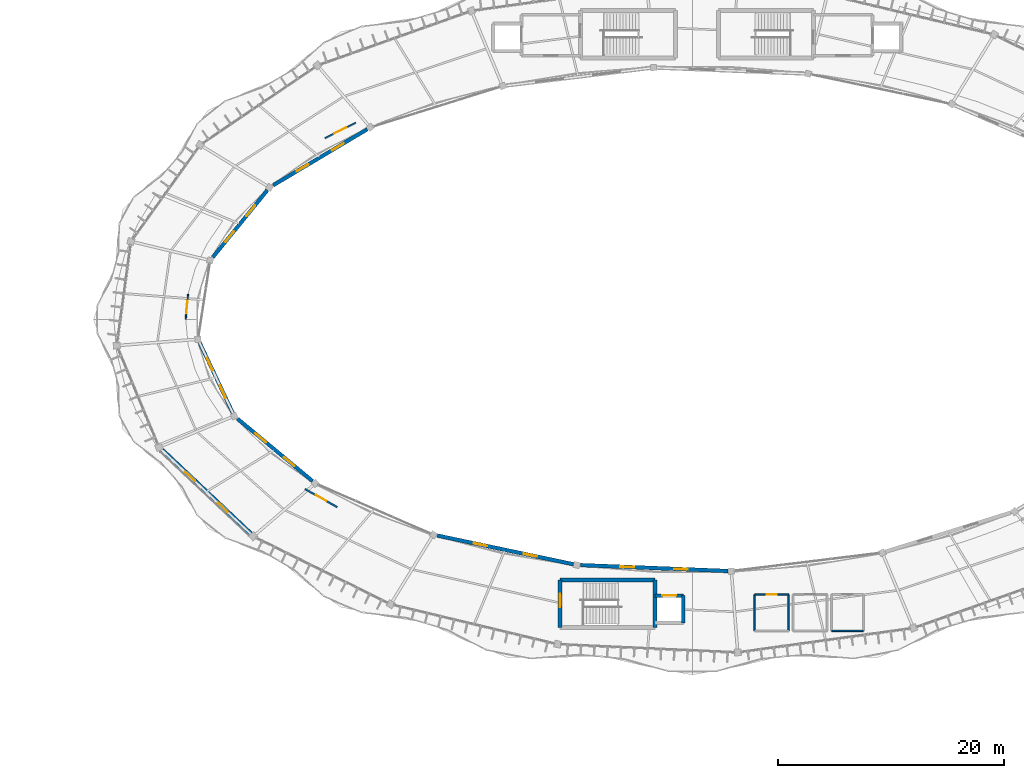
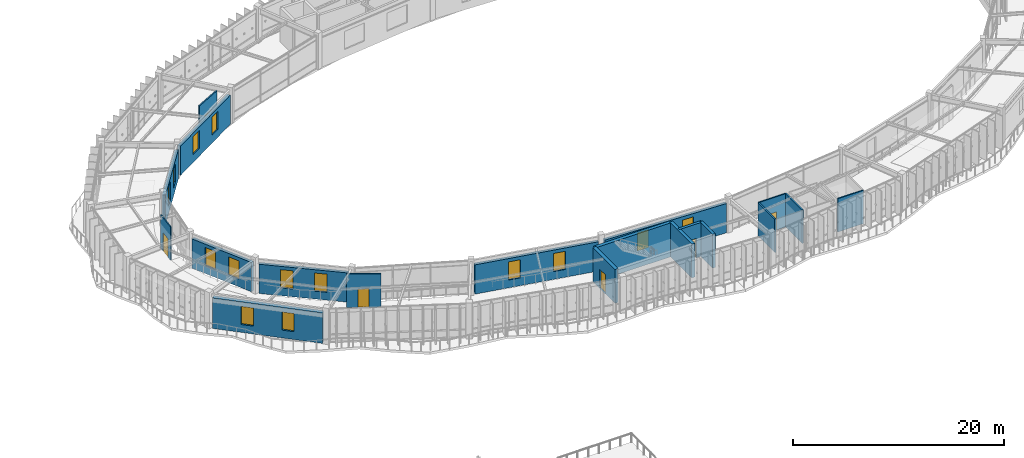
# One storey, part 69 of 83: 19 walls, 14 windows, 6 doors, 20 openings.
"""IFC4 building model written with IfcOpenShell, lengths in metres."""

from ifc_helpers import new_model, si_unit, direction, frame, frame_2d, origin, place, context, subcontext, project, spatial, rectangle, extrude, material, layer, layer_set, type_object, element, fill, save


model = new_model("IFC4")

# Units and contexts
model_context = context("Model", 3, precision=1e-05, world=origin(), true_north=direction((0.0, 1.0)))
body_context = subcontext(model_context, "Body", "Model", "MODEL_VIEW")
ifc_project = project(units=[si_unit("LENGTHUNIT", "METRE"), si_unit("AREAUNIT", "SQUARE_METRE"), si_unit("VOLUMEUNIT", "CUBIC_METRE"), si_unit("PLANEANGLEUNIT", "RADIAN"), si_unit("MASSUNIT", "GRAM", prefix="KILO"), si_unit("THERMODYNAMICTEMPERATUREUNIT", "KELVIN"), si_unit("POWERUNIT", "WATT")], contexts=[model_context])

# Site, building, storey
site_placement = place(None, origin())
site = spatial("IfcSite", under=ifc_project, at=site_placement, CompositionType="ELEMENT")
building_placement = place(site_placement, origin())
building = spatial("IfcBuilding", under=site, at=building_placement, Name="Darbajah Civic Hall", CompositionType="ELEMENT")
storey_placement = place(building_placement, frame((0.0, 0.0, 18.0)))
storey = spatial("IfcBuildingStorey", under=building, at=storey_placement, Name="L04", CompositionType="ELEMENT", Elevation=18.0)

# Wall, opening, door
ifc_material_1 = material(Name="Concrete C45/55", Category="concrete")
ifc_layer_1 = layer(ifc_material_1, 0.300048828125, Name="Concrete C45/55")
ifc_layer_set_1 = layer_set([ifc_layer_1], Name="Concrete C45/55")
wall_type_1 = type_object("IfcWallType", Name="Core Shear Wall 300mm", PredefinedType="SHEAR", material=ifc_layer_set_1)
wall_1_placement = place(storey_placement, frame((88.300048828125, 65.39990234375, 0.0), z_axis=(0.0, 0.0, 1.0), x_axis=(-1.0, 0.0, 0.0)))
wall_1 = element("IfcWall", 1, at=wall_1_placement, inside=storey, type_object=wall_type_1, Name="L04 lift PL1 shaft wall N", PredefinedType="SHEAR", context=body_context, shape_type="SweptSolid", body=[
    extrude(rectangle(XDim=2.5, YDim=0.300048828125, at=frame_2d((1.25, 0.0))), origin(), (0.0, 0.0, 1.0), 3.919921875),
])
opening_1_placement = place(wall_1_placement, frame((0.64990234375, 0.0, 0.0)))
opening_1 = element("IfcOpeningElement", 2, at=opening_1_placement, cuts=wall_1, Name="Opening LD-0054", PredefinedType="OPENING", context=body_context, shape_type="SweptSolid", body=[
    extrude(rectangle(XDim=1.199951171875, YDim=2.25, at=frame_2d((0.60009765625, 1.125))), frame((0.0, 0.159912109375, 0.0), z_axis=(0.0, -1.0, 0.0), x_axis=(1.0, 0.0, 0.0)), (0.0, 0.0, 1.0), 0.320068359375),
])
ifc_material_2 = material(Name="Stainless Lift Landing Door")
door_type_1 = type_object("IfcDoorType", Name="Lift Landing Door 1200x2250", OperationType="SLIDING_TO_LEFT", PredefinedType="DOOR", material=ifc_material_2)
door_1_placement = place(opening_1_placement, origin())
door_1 = element("IfcDoor", 3, at=door_1_placement, inside=storey, type_object=door_type_1, Name="L04 lift PL1 landing door LD-0054", OperationType="SLIDING_TO_LEFT", OverallHeight=2.25, OverallWidth=1.199951171875, PredefinedType="DOOR", context=body_context, shape_type="SweptSolid", body=[
    extrude(rectangle(XDim=1.199951171875, YDim=2.25, at=frame_2d((0.60009765625, 1.125))), frame((0.0, 0.02490234375, 0.0), z_axis=(0.0, -1.0, 0.0), x_axis=(1.0, 0.0, 0.0)), (0.0, 0.0, 1.0), 0.050048828125),
])
fill(opening_1, door_1)

# Walls
wall_2_placement = place(storey_placement, frame((88.300048828125, 63.0, 0.0), z_axis=(0.0, 0.0, 1.0), x_axis=(0.0, 1.0, 0.0)))
element("IfcWall", 4, at=wall_2_placement, inside=storey, type_object=wall_type_1, Name="L04 lift PL1 shaft wall E", PredefinedType="SHEAR", context=body_context, shape_type="SweptSolid", body=[
    extrude(rectangle(XDim=2.39990234375, YDim=0.300048828125, at=frame_2d((1.199951171875, 0.0))), origin(), (0.0, 0.0, 1.0), 3.919921875),
])
ifc_material_3 = material(Name="Concrete C50/60", Category="concrete")
ifc_layer_2 = layer(ifc_material_3, 0.35009765625, Name="Concrete C50/60")
ifc_layer_set_2 = layer_set([ifc_layer_2], Name="Concrete C50/60")
wall_type_2 = type_object("IfcWallType", Name="Core Shear Wall 350mm", PredefinedType="SHEAR", material=ifc_layer_set_2)
wall_3_placement = place(storey_placement, frame((85.800048828125, 62.60009765625, 0.0), z_axis=(0.0, 0.0, 1.0), x_axis=(0.0, 1.0, 0.0)))
element("IfcWall", 5, at=wall_3_placement, inside=storey, type_object=wall_type_2, Name="L04 core C03 shear wall E", PredefinedType="SHEAR", context=body_context, shape_type="SweptSolid", body=[
    extrude(rectangle(XDim=4.199951171875, YDim=0.35009765625, at=frame_2d((2.10009765625, 0.0))), origin(), (0.0, 0.0, 1.0), 3.919921875),
])
wall_4_placement = place(storey_placement, frame((85.800048828125, 66.800048828125, 0.0), z_axis=(0.0, 0.0, 1.0), x_axis=(-1.0, 0.0, 0.0)))
element("IfcWall", 6, at=wall_4_placement, inside=storey, type_object=wall_type_2, Name="L04 core C03 shear wall N", PredefinedType="SHEAR", context=body_context, shape_type="SweptSolid", body=[
    extrude(rectangle(XDim=8.400146484375, YDim=0.35009765625, at=frame_2d((4.2001953125, 0.0))), origin(), (0.0, 0.0, 1.0), 3.919921875),
])

# Wall, opening, door
wall_5_placement = place(storey_placement, frame((77.39990234375, 66.800048828125, 0.0), z_axis=(0.0, 0.0, 1.0), x_axis=(0.0, -1.0, 0.0)))
wall_5 = element("IfcWall", 7, at=wall_5_placement, inside=storey, type_object=wall_type_2, Name="L04 core C03 shear wall W", PredefinedType="SHEAR", context=body_context, shape_type="SweptSolid", body=[
    extrude(rectangle(XDim=4.199951171875, YDim=0.35009765625, at=frame_2d((2.10009765625, 0.0))), origin(), (0.0, 0.0, 1.0), 3.919921875),
])
opening_2_placement = place(wall_5_placement, frame((1.25, 0.0, 0.0)))
opening_2 = element("IfcOpeningElement", 8, at=opening_2_placement, cuts=wall_5, Name="Opening SD-0047", PredefinedType="OPENING", context=body_context, shape_type="SweptSolid", body=[
    extrude(rectangle(XDim=1.14990234375, YDim=2.199951171875, at=frame_2d((0.574951171875, 1.10009765625))), frame((0.0, 0.18505859375, 0.0), z_axis=(0.0, -1.0, 0.0), x_axis=(1.0, 0.0, 0.0)), (0.0, 0.0, 1.0), 0.3701171875),
])
ifc_material_4 = material(Name="Steel Rated Core Door", Category="steel")
door_type_2 = type_object("IfcDoorType", Name="Interior Door 1150x2200", OperationType="NOTDEFINED", PredefinedType="DOOR", material=ifc_material_4)
door_2_placement = place(opening_2_placement, origin())
door_2 = element("IfcDoor", 9, at=door_2_placement, inside=storey, type_object=door_type_2, Name="L04 stair ST03 fire door SD-0047", OperationType="SINGLE_SWING_RIGHT", OverallHeight=2.199951171875, OverallWidth=1.14990234375, PredefinedType="DOOR", context=body_context, shape_type="SweptSolid", body=[
    extrude(rectangle(XDim=1.14990234375, YDim=2.199951171875, at=frame_2d((0.574951171875, 1.10009765625))), frame((0.0, 0.02490234375, 0.0), z_axis=(0.0, -1.0, 0.0), x_axis=(1.0, 0.0, 0.0)), (0.0, 0.0, 1.0), 0.050048828125),
])
fill(opening_2, door_2)

# Wall, openings, windows
ifc_material_5 = material(Name="Qatari Desert Limestone Ashlar", Category="masonry")
ifc_layer_3 = layer(ifc_material_5, 0.340087890625, Name="Qatari Desert Limestone Ashlar")
ifc_layer_set_3 = layer_set([ifc_layer_3], Name="Qatari Desert Limestone Ashlar")
wall_type_3 = type_object("IfcWallType", Name="Exterior Wall 340mm", PredefinedType="SOLIDWALL", material=ifc_layer_set_3)
wall_6_placement = place(storey_placement, frame((60.3798828125, 106.593505859375, 0.0), z_axis=(0.0, 0.0, 1.0), x_axis=(-0.858962138192, -0.512039105102, 0.0)))
wall_6 = element("IfcWall", 10, at=wall_6_placement, inside=storey, type_object=wall_type_3, Name="L04 exterior wall EW-340", PredefinedType="SOLIDWALL", context=body_context, shape_type="SweptSolid", body=[
    extrude(rectangle(XDim=9.66845703125, YDim=0.340087890625, at=frame_2d((4.834228515625, 0.0))), origin(), (0.0, 0.0, 1.0), 3.386962890625),
])
opening_3_placement = place(wall_6_placement, frame((2.4228515625, 0.0, 0.89990234375)))
opening_3 = element("IfcOpeningElement", 11, at=opening_3_placement, cuts=wall_6, Name="Opening WN-01", PredefinedType="OPENING", context=body_context, shape_type="SweptSolid", body=[
    extrude(rectangle(XDim=1.199951171875, YDim=2.10009765625, at=frame_2d((0.60009765625, 1.050048828125))), frame((0.0, 0.179931640625, 0.0), z_axis=(0.0, -1.0, 0.0), x_axis=(1.0, 0.0, 0.0)), (0.0, 0.0, 1.0), 0.360107421875),
])
opening_4_placement = place(wall_6_placement, frame((6.045654296875, 0.0, 0.89990234375)))
opening_4 = element("IfcOpeningElement", 12, at=opening_4_placement, cuts=wall_6, Name="Opening WN-01", PredefinedType="OPENING", context=body_context, shape_type="SweptSolid", body=[
    extrude(rectangle(XDim=1.199951171875, YDim=2.10009765625, at=frame_2d((0.60009765625, 1.050048828125))), frame((0.0, 0.179931640625, 0.0), z_axis=(0.0, -1.0, 0.0), x_axis=(1.0, 0.0, 0.0)), (0.0, 0.0, 1.0), 0.360107421875),
])
ifc_material_6 = material(Name="Low-E Solar Control Double Glazing", Category="glass")
window_type = type_object("IfcWindowType", Name="Facade Window 1200x2100", PartitioningType="SINGLE_PANEL", PredefinedType="WINDOW", material=ifc_material_6)
window_1_placement = place(opening_3_placement, origin())
window_1 = element("IfcWindow", 13, at=window_1_placement, inside=storey, type_object=window_type, Name="L04 facade window WN-01", OverallHeight=2.10009765625, OverallWidth=1.199951171875, PartitioningType="SINGLE_PANEL", PredefinedType="WINDOW", context=body_context, shape_type="SweptSolid", body=[
    extrude(rectangle(XDim=1.199951171875, YDim=2.10009765625, at=frame_2d((0.60009765625, 1.050048828125))), frame((0.0, 0.030029296875, 0.0), z_axis=(0.0, -1.0, 0.0), x_axis=(1.0, 0.0, 0.0)), (0.0, 0.0, 1.0), 0.06005859375),
])
fill(opening_3, window_1)
window_2_placement = place(opening_4_placement, origin())
window_2 = element("IfcWindow", 14, at=window_2_placement, inside=storey, type_object=window_type, Name="L04 facade window WN-01", OverallHeight=2.10009765625, OverallWidth=1.199951171875, PartitioningType="SINGLE_PANEL", PredefinedType="WINDOW", context=body_context, shape_type="SweptSolid", body=[
    extrude(rectangle(XDim=1.199951171875, YDim=2.10009765625, at=frame_2d((0.60009765625, 1.050048828125))), frame((0.0, 0.030029296875, 0.0), z_axis=(0.0, -1.0, 0.0), x_axis=(1.0, 0.0, 0.0)), (0.0, 0.0, 1.0), 0.06005859375),
])
fill(opening_4, window_2)

wall_7_placement = place(storey_placement, frame((51.55810546875, 101.21044921875, 0.0), z_axis=(0.0, 0.0, 1.0), x_axis=(-0.63110084739, -0.775700793105, 0.0)))
wall_7 = element("IfcWall", 15, at=wall_7_placement, inside=storey, type_object=wall_type_3, Name="L04 exterior wall EW-340", PredefinedType="SOLIDWALL", context=body_context, shape_type="SweptSolid", body=[
    extrude(rectangle(XDim=7.6298828125, YDim=0.340087890625, at=frame_2d((3.81494140625, 0.0))), origin(), (0.0, 0.0, 1.0), 3.386962890625),
])
opening_5_placement = place(wall_7_placement, frame((1.7431640625, 0.0, 0.89990234375)))
opening_5 = element("IfcOpeningElement", 16, at=opening_5_placement, cuts=wall_7, Name="Opening WN-01", PredefinedType="OPENING", context=body_context, shape_type="SweptSolid", body=[
    extrude(rectangle(XDim=1.199951171875, YDim=2.10009765625, at=frame_2d((0.60009765625, 1.050048828125))), frame((0.0, 0.179931640625, 0.0), z_axis=(0.0, -1.0, 0.0), x_axis=(1.0, 0.0, 0.0)), (0.0, 0.0, 1.0), 0.360107421875),
])
opening_6_placement = place(wall_7_placement, frame((4.6865234375, 0.0, 0.89990234375)))
opening_6 = element("IfcOpeningElement", 17, at=opening_6_placement, cuts=wall_7, Name="Opening WN-01", PredefinedType="OPENING", context=body_context, shape_type="SweptSolid", body=[
    extrude(rectangle(XDim=1.199951171875, YDim=2.10009765625, at=frame_2d((0.60009765625, 1.050048828125))), frame((0.0, 0.179931640625, 0.0), z_axis=(0.0, -1.0, 0.0), x_axis=(1.0, 0.0, 0.0)), (0.0, 0.0, 1.0), 0.360107421875),
])
window_3_placement = place(opening_5_placement, origin())
window_3 = element("IfcWindow", 18, at=window_3_placement, inside=storey, type_object=window_type, Name="L04 facade window WN-01", OverallHeight=2.10009765625, OverallWidth=1.199951171875, PartitioningType="SINGLE_PANEL", PredefinedType="WINDOW", context=body_context, shape_type="SweptSolid", body=[
    extrude(rectangle(XDim=1.199951171875, YDim=2.10009765625, at=frame_2d((0.60009765625, 1.050048828125))), frame((0.0, 0.030029296875, 0.0), z_axis=(0.0, -1.0, 0.0), x_axis=(1.0, 0.0, 0.0)), (0.0, 0.0, 1.0), 0.06005859375),
])
fill(opening_5, window_3)
window_4_placement = place(opening_6_placement, origin())
window_4 = element("IfcWindow", 19, at=window_4_placement, inside=storey, type_object=window_type, Name="L04 facade window WN-01", OverallHeight=2.10009765625, OverallWidth=1.199951171875, PartitioningType="SINGLE_PANEL", PredefinedType="WINDOW", context=body_context, shape_type="SweptSolid", body=[
    extrude(rectangle(XDim=1.199951171875, YDim=2.10009765625, at=frame_2d((0.60009765625, 1.050048828125))), frame((0.0, 0.030029296875, 0.0), z_axis=(0.0, -1.0, 0.0), x_axis=(1.0, 0.0, 0.0)), (0.0, 0.0, 1.0), 0.06005859375),
])
fill(opening_6, window_4)

wall_8_placement = place(storey_placement, frame((45.587158203125, 87.727783203125, 0.0), z_axis=(0.0, 0.0, 1.0), x_axis=(0.426507073903, -0.904484226458, 0.0)))
wall_8 = element("IfcWall", 20, at=wall_8_placement, inside=storey, type_object=wall_type_3, Name="L04 exterior wall EW-340", PredefinedType="SOLIDWALL", context=body_context, shape_type="SweptSolid", body=[
    extrude(rectangle(XDim=6.854248046875, YDim=0.340087890625, at=frame_2d((3.42724609375, 0.0))), origin(), (0.0, 0.0, 1.0), 3.386962890625),
])
opening_7_placement = place(wall_8_placement, frame((1.484619140625, 0.0, 0.89990234375)))
opening_7 = element("IfcOpeningElement", 21, at=opening_7_placement, cuts=wall_8, Name="Opening WN-01", PredefinedType="OPENING", context=body_context, shape_type="SweptSolid", body=[
    extrude(rectangle(XDim=1.199951171875, YDim=2.10009765625, at=frame_2d((0.60009765625, 1.050048828125))), frame((0.0, 0.179931640625, 0.0), z_axis=(0.0, -1.0, 0.0), x_axis=(1.0, 0.0, 0.0)), (0.0, 0.0, 1.0), 0.360107421875),
])
opening_8_placement = place(wall_8_placement, frame((4.16943359375, 0.0, 0.89990234375)))
opening_8 = element("IfcOpeningElement", 22, at=opening_8_placement, cuts=wall_8, Name="Opening WN-01", PredefinedType="OPENING", context=body_context, shape_type="SweptSolid", body=[
    extrude(rectangle(XDim=1.199951171875, YDim=2.10009765625, at=frame_2d((0.60009765625, 1.050048828125))), frame((0.0, 0.179931640625, 0.0), z_axis=(0.0, -1.0, 0.0), x_axis=(1.0, 0.0, 0.0)), (0.0, 0.0, 1.0), 0.360107421875),
])
window_5_placement = place(opening_7_placement, origin())
window_5 = element("IfcWindow", 23, at=window_5_placement, inside=storey, type_object=window_type, Name="L04 facade window WN-01", OverallHeight=2.10009765625, OverallWidth=1.199951171875, PartitioningType="SINGLE_PANEL", PredefinedType="WINDOW", context=body_context, shape_type="SweptSolid", body=[
    extrude(rectangle(XDim=1.199951171875, YDim=2.10009765625, at=frame_2d((0.60009765625, 1.050048828125))), frame((0.0, 0.030029296875, 0.0), z_axis=(0.0, -1.0, 0.0), x_axis=(1.0, 0.0, 0.0)), (0.0, 0.0, 1.0), 0.06005859375),
])
fill(opening_7, window_5)
window_6_placement = place(opening_8_placement, origin())
window_6 = element("IfcWindow", 24, at=window_6_placement, inside=storey, type_object=window_type, Name="L04 facade window WN-01", OverallHeight=2.10009765625, OverallWidth=1.199951171875, PartitioningType="SINGLE_PANEL", PredefinedType="WINDOW", context=body_context, shape_type="SweptSolid", body=[
    extrude(rectangle(XDim=1.199951171875, YDim=2.10009765625, at=frame_2d((0.60009765625, 1.050048828125))), frame((0.0, 0.030029296875, 0.0), z_axis=(0.0, -1.0, 0.0), x_axis=(1.0, 0.0, 0.0)), (0.0, 0.0, 1.0), 0.06005859375),
])
fill(opening_8, window_6)

wall_9_placement = place(storey_placement, frame((48.92138671875, 81.027587890625, 0.0), z_axis=(0.0, 0.0, 1.0), x_axis=(0.769154159111, -0.639063282878, 0.0)))
wall_9 = element("IfcWall", 25, at=wall_9_placement, inside=storey, type_object=wall_type_3, Name="L04 exterior wall EW-340", PredefinedType="SOLIDWALL", context=body_context, shape_type="SweptSolid", body=[
    extrude(rectangle(XDim=8.615966796875, YDim=0.340087890625, at=frame_2d((4.30810546875, 0.0))), origin(), (0.0, 0.0, 1.0), 3.386962890625),
])
opening_9_placement = place(wall_9_placement, frame((2.072021484375, 0.0, 0.89990234375)))
opening_9 = element("IfcOpeningElement", 26, at=opening_9_placement, cuts=wall_9, Name="Opening WN-01", PredefinedType="OPENING", context=body_context, shape_type="SweptSolid", body=[
    extrude(rectangle(XDim=1.199951171875, YDim=2.10009765625, at=frame_2d((0.60009765625, 1.050048828125))), frame((0.0, 0.179931640625, 0.0), z_axis=(0.0, -1.0, 0.0), x_axis=(1.0, 0.0, 0.0)), (0.0, 0.0, 1.0), 0.360107421875),
])
opening_10_placement = place(wall_9_placement, frame((5.34375, 0.0, 0.89990234375)))
opening_10 = element("IfcOpeningElement", 27, at=opening_10_placement, cuts=wall_9, Name="Opening WN-01", PredefinedType="OPENING", context=body_context, shape_type="SweptSolid", body=[
    extrude(rectangle(XDim=1.199951171875, YDim=2.10009765625, at=frame_2d((0.60009765625, 1.050048828125))), frame((0.0, 0.179931640625, 0.0), z_axis=(0.0, -1.0, 0.0), x_axis=(1.0, 0.0, 0.0)), (0.0, 0.0, 1.0), 0.360107421875),
])
window_7_placement = place(opening_9_placement, origin())
window_7 = element("IfcWindow", 28, at=window_7_placement, inside=storey, type_object=window_type, Name="L04 facade window WN-01", OverallHeight=2.10009765625, OverallWidth=1.199951171875, PartitioningType="SINGLE_PANEL", PredefinedType="WINDOW", context=body_context, shape_type="SweptSolid", body=[
    extrude(rectangle(XDim=1.199951171875, YDim=2.10009765625, at=frame_2d((0.60009765625, 1.050048828125))), frame((0.0, 0.030029296875, 0.0), z_axis=(0.0, -1.0, 0.0), x_axis=(1.0, 0.0, 0.0)), (0.0, 0.0, 1.0), 0.06005859375),
])
fill(opening_9, window_7)
window_8_placement = place(opening_10_placement, origin())
window_8 = element("IfcWindow", 29, at=window_8_placement, inside=storey, type_object=window_type, Name="L04 facade window WN-01", OverallHeight=2.10009765625, OverallWidth=1.199951171875, PartitioningType="SINGLE_PANEL", PredefinedType="WINDOW", context=body_context, shape_type="SweptSolid", body=[
    extrude(rectangle(XDim=1.199951171875, YDim=2.10009765625, at=frame_2d((0.60009765625, 1.050048828125))), frame((0.0, 0.030029296875, 0.0), z_axis=(0.0, -1.0, 0.0), x_axis=(1.0, 0.0, 0.0)), (0.0, 0.0, 1.0), 0.06005859375),
])
fill(opening_10, window_8)

wall_10_placement = place(storey_placement, frame((66.560302734375, 70.713134765625, 0.0), z_axis=(0.0, 0.0, 1.0), x_axis=(0.978478340109, -0.20634955279, 0.0)))
wall_10 = element("IfcWall", 30, at=wall_10_placement, inside=storey, type_object=wall_type_3, Name="L04 exterior wall EW-340", PredefinedType="SOLIDWALL", context=body_context, shape_type="SweptSolid", body=[
    extrude(rectangle(XDim=12.301025390625, YDim=0.340087890625, at=frame_2d((6.150390625, 0.0))), origin(), (0.0, 0.0, 1.0), 3.386962890625),
])
opening_11_placement = place(wall_10_placement, frame((3.30029296875, 0.0, 0.89990234375)))
opening_11 = element("IfcOpeningElement", 31, at=opening_11_placement, cuts=wall_10, Name="Opening WN-01", PredefinedType="OPENING", context=body_context, shape_type="SweptSolid", body=[
    extrude(rectangle(XDim=1.199951171875, YDim=2.10009765625, at=frame_2d((0.60009765625, 1.050048828125))), frame((0.0, 0.179931640625, 0.0), z_axis=(0.0, -1.0, 0.0), x_axis=(1.0, 0.0, 0.0)), (0.0, 0.0, 1.0), 0.360107421875),
])
opening_12_placement = place(wall_10_placement, frame((7.80078125, 0.0, 0.89990234375)))
opening_12 = element("IfcOpeningElement", 32, at=opening_12_placement, cuts=wall_10, Name="Opening WN-01", PredefinedType="OPENING", context=body_context, shape_type="SweptSolid", body=[
    extrude(rectangle(XDim=1.199951171875, YDim=2.10009765625, at=frame_2d((0.60009765625, 1.050048828125))), frame((0.0, 0.179931640625, 0.0), z_axis=(0.0, -1.0, 0.0), x_axis=(1.0, 0.0, 0.0)), (0.0, 0.0, 1.0), 0.360107421875),
])
window_9_placement = place(opening_11_placement, origin())
window_9 = element("IfcWindow", 33, at=window_9_placement, inside=storey, type_object=window_type, Name="L04 facade window WN-01", OverallHeight=2.10009765625, OverallWidth=1.199951171875, PartitioningType="SINGLE_PANEL", PredefinedType="WINDOW", context=body_context, shape_type="SweptSolid", body=[
    extrude(rectangle(XDim=1.199951171875, YDim=2.10009765625, at=frame_2d((0.60009765625, 1.050048828125))), frame((0.0, 0.030029296875, 0.0), z_axis=(0.0, -1.0, 0.0), x_axis=(1.0, 0.0, 0.0)), (0.0, 0.0, 1.0), 0.06005859375),
])
fill(opening_11, window_9)
window_10_placement = place(opening_12_placement, origin())
window_10 = element("IfcWindow", 34, at=window_10_placement, inside=storey, type_object=window_type, Name="L04 facade window WN-01", OverallHeight=2.10009765625, OverallWidth=1.199951171875, PartitioningType="SINGLE_PANEL", PredefinedType="WINDOW", context=body_context, shape_type="SweptSolid", body=[
    extrude(rectangle(XDim=1.199951171875, YDim=2.10009765625, at=frame_2d((0.60009765625, 1.050048828125))), frame((0.0, 0.030029296875, 0.0), z_axis=(0.0, -1.0, 0.0), x_axis=(1.0, 0.0, 0.0)), (0.0, 0.0, 1.0), 0.06005859375),
])
fill(opening_12, window_10)

wall_11_placement = place(storey_placement, frame((79.199951171875, 68.103271484375, 0.0), z_axis=(0.0, 0.0, 1.0), x_axis=(0.999197725269, -0.040048792968, 0.0)))
wall_11 = element("IfcWall", 35, at=wall_11_placement, inside=storey, type_object=wall_type_3, Name="L04 exterior wall EW-340", PredefinedType="SOLIDWALL", context=body_context, shape_type="SweptSolid", body=[
    extrude(rectangle(XDim=13.03955078125, YDim=0.340087890625, at=frame_2d((6.519775390625, 0.0))), origin(), (0.0, 0.0, 1.0), 3.386962890625),
])
opening_13_placement = place(wall_11_placement, frame((3.54638671875, 0.0, 0.89990234375)))
opening_13 = element("IfcOpeningElement", 36, at=opening_13_placement, cuts=wall_11, Name="Opening WN-01", PredefinedType="OPENING", context=body_context, shape_type="SweptSolid", body=[
    extrude(rectangle(XDim=1.199951171875, YDim=2.10009765625, at=frame_2d((0.60009765625, 1.050048828125))), frame((0.0, 0.179931640625, 0.0), z_axis=(0.0, -1.0, 0.0), x_axis=(1.0, 0.0, 0.0)), (0.0, 0.0, 1.0), 0.360107421875),
])
opening_14_placement = place(wall_11_placement, frame((8.29296875, 0.0, 0.89990234375)))
opening_14 = element("IfcOpeningElement", 37, at=opening_14_placement, cuts=wall_11, Name="Opening WN-01", PredefinedType="OPENING", context=body_context, shape_type="SweptSolid", body=[
    extrude(rectangle(XDim=1.199951171875, YDim=2.10009765625, at=frame_2d((0.60009765625, 1.050048828125))), frame((0.0, 0.179931640625, 0.0), z_axis=(0.0, -1.0, 0.0), x_axis=(1.0, 0.0, 0.0)), (0.0, 0.0, 1.0), 0.360107421875),
])
window_11_placement = place(opening_13_placement, origin())
window_11 = element("IfcWindow", 38, at=window_11_placement, inside=storey, type_object=window_type, Name="L04 facade window WN-01", OverallHeight=2.10009765625, OverallWidth=1.199951171875, PartitioningType="SINGLE_PANEL", PredefinedType="WINDOW", context=body_context, shape_type="SweptSolid", body=[
    extrude(rectangle(XDim=1.199951171875, YDim=2.10009765625, at=frame_2d((0.60009765625, 1.050048828125))), frame((0.0, 0.030029296875, 0.0), z_axis=(0.0, -1.0, 0.0), x_axis=(1.0, 0.0, 0.0)), (0.0, 0.0, 1.0), 0.06005859375),
])
fill(opening_13, window_11)
window_12_placement = place(opening_14_placement, origin())
window_12 = element("IfcWindow", 39, at=window_12_placement, inside=storey, type_object=window_type, Name="L04 facade window WN-01", OverallHeight=2.10009765625, OverallWidth=1.199951171875, PartitioningType="SINGLE_PANEL", PredefinedType="WINDOW", context=body_context, shape_type="SweptSolid", body=[
    extrude(rectangle(XDim=1.199951171875, YDim=2.10009765625, at=frame_2d((0.60009765625, 1.050048828125))), frame((0.0, 0.030029296875, 0.0), z_axis=(0.0, -1.0, 0.0), x_axis=(1.0, 0.0, 0.0)), (0.0, 0.0, 1.0), 0.06005859375),
])
fill(opening_14, window_12)

ifc_layer_4 = layer(ifc_material_5, 0.419921875, Name="Qatari Desert Limestone Ashlar")
ifc_layer_set_4 = layer_set([ifc_layer_4], Name="Qatari Desert Limestone Ashlar")
wall_type_4 = type_object("IfcWallType", Name="Exterior Wall 420mm", PredefinedType="SOLIDWALL", material=ifc_layer_set_4)
wall_12_placement = place(storey_placement, frame((42.27197265625, 78.2373046875, 0.0), z_axis=(0.0, 0.0, 1.0), x_axis=(0.727203618709, -0.686421806863, 0.0)))
wall_12 = element("IfcWall", 40, at=wall_12_placement, inside=storey, type_object=wall_type_4, Name="L04 exterior wall EW-420", PredefinedType="SOLIDWALL", context=body_context, shape_type="SweptSolid", body=[
    extrude(rectangle(XDim=10.73388671875, YDim=0.419921875, at=frame_2d((5.366943359375, 0.0))), origin(), (0.0, 0.0, 1.0), 3.52001953125),
])
opening_15_placement = place(wall_12_placement, frame((2.77783203125, 0.0, 0.89990234375)))
opening_15 = element("IfcOpeningElement", 41, at=opening_15_placement, cuts=wall_12, Name="Opening WN-01", PredefinedType="OPENING", context=body_context, shape_type="SweptSolid", body=[
    extrude(rectangle(XDim=1.199951171875, YDim=2.10009765625, at=frame_2d((0.60009765625, 1.050048828125))), frame((0.0, 0.219970703125, 0.0), z_axis=(0.0, -1.0, 0.0), x_axis=(1.0, 0.0, 0.0)), (0.0, 0.0, 1.0), 0.43994140625),
])
opening_16_placement = place(wall_12_placement, frame((6.755859375, 0.0, 0.89990234375)))
opening_16 = element("IfcOpeningElement", 42, at=opening_16_placement, cuts=wall_12, Name="Opening WN-01", PredefinedType="OPENING", context=body_context, shape_type="SweptSolid", body=[
    extrude(rectangle(XDim=1.199951171875, YDim=2.10009765625, at=frame_2d((0.60009765625, 1.050048828125))), frame((0.0, 0.219970703125, 0.0), z_axis=(0.0, -1.0, 0.0), x_axis=(1.0, 0.0, 0.0)), (0.0, 0.0, 1.0), 0.43994140625),
])
window_13_placement = place(opening_15_placement, origin())
window_13 = element("IfcWindow", 43, at=window_13_placement, inside=storey, type_object=window_type, Name="L04 facade window WN-01", OverallHeight=2.10009765625, OverallWidth=1.199951171875, PartitioningType="SINGLE_PANEL", PredefinedType="WINDOW", context=body_context, shape_type="SweptSolid", body=[
    extrude(rectangle(XDim=1.199951171875, YDim=2.10009765625, at=frame_2d((0.60009765625, 1.050048828125))), frame((0.0, 0.030029296875, 0.0), z_axis=(0.0, -1.0, 0.0), x_axis=(1.0, 0.0, 0.0)), (0.0, 0.0, 1.0), 0.06005859375),
])
fill(opening_15, window_13)
window_14_placement = place(opening_16_placement, origin())
window_14 = element("IfcWindow", 44, at=window_14_placement, inside=storey, type_object=window_type, Name="L04 facade window WN-01", OverallHeight=2.10009765625, OverallWidth=1.199951171875, PartitioningType="SINGLE_PANEL", PredefinedType="WINDOW", context=body_context, shape_type="SweptSolid", body=[
    extrude(rectangle(XDim=1.199951171875, YDim=2.10009765625, at=frame_2d((0.60009765625, 1.050048828125))), frame((0.0, 0.030029296875, 0.0), z_axis=(0.0, -1.0, 0.0), x_axis=(1.0, 0.0, 0.0)), (0.0, 0.0, 1.0), 0.06005859375),
])
fill(opening_16, window_14)

# Wall, opening, door
ifc_material_7 = material(Name="Acoustic Gypsum Partition")
ifc_layer_5 = layer(ifc_material_7, 0.114990234375, Name="Acoustic Gypsum Partition")
ifc_layer_set_5 = layer_set([ifc_layer_5], Name="Acoustic Gypsum Partition")
wall_type_5 = type_object("IfcWallType", Name="Interior Partition 115mm", PredefinedType="PARTITIONING", material=ifc_layer_set_5)
wall_13_placement = place(storey_placement, frame((44.35009765625, 89.800048828125, 0.0), z_axis=(0.0, 0.0, 1.0), x_axis=(0.091971845666, 0.995761607818, 0.0)))
wall_13 = element("IfcWall", 45, at=wall_13_placement, inside=storey, type_object=wall_type_5, Name="L04 interior partition L04-V1-05", PredefinedType="PARTITIONING", context=body_context, shape_type="SweptSolid", body=[
    extrude(rectangle(XDim=2.23779296875, YDim=0.114990234375, at=frame_2d((1.118896484375, 0.0))), origin(), (0.0, 0.0, 1.0), 3.860107421875),
])
opening_17_placement = place(wall_13_placement, frame((0.569091796875, 0.0, 0.0)))
opening_17 = element("IfcOpeningElement", 46, at=opening_17_placement, cuts=wall_13, Name="Opening D-0247", PredefinedType="OPENING", context=body_context, shape_type="SweptSolid", body=[
    extrude(rectangle(XDim=1.10009765625, YDim=2.14990234375, at=frame_2d((0.550048828125, 1.074951171875))), frame((0.0, 0.0673828125, 0.0), z_axis=(0.0, -1.0, 0.0), x_axis=(1.0, 0.0, 0.0)), (0.0, 0.0, 1.0), 0.135009765625),
])
ifc_material_8 = material(Name="Acoustic Oak Office Door")
door_type_3 = type_object("IfcDoorType", Name="Interior Door 1100x2150", OperationType="NOTDEFINED", PredefinedType="DOOR", material=ifc_material_8)
door_3_placement = place(opening_17_placement, origin())
door_3 = element("IfcDoor", 47, at=door_3_placement, inside=storey, type_object=door_type_3, Name="L04 L04-V1-05 door D-0247", OperationType="SINGLE_SWING_RIGHT", OverallHeight=2.14990234375, OverallWidth=1.10009765625, PredefinedType="DOOR", context=body_context, shape_type="SweptSolid", body=[
    extrude(rectangle(XDim=1.10009765625, YDim=2.14990234375, at=frame_2d((0.550048828125, 1.074951171875))), frame((0.0, 0.02490234375, 0.0), z_axis=(0.0, -1.0, 0.0), x_axis=(1.0, 0.0, 0.0)), (0.0, 0.0, 1.0), 0.050048828125),
])
fill(opening_17, door_3)

ifc_material_9 = material(Name="Gypsum Plasterboard on Steel Stud", Category="steel")
ifc_layer_6 = layer(ifc_material_9, 0.135009765625, Name="Gypsum Plasterboard on Steel Stud")
ifc_layer_set_6 = layer_set([ifc_layer_6], Name="Gypsum Plasterboard on Steel Stud")
wall_type_6 = type_object("IfcWallType", Name="Interior Partition 135mm", PredefinedType="PARTITIONING", material=ifc_layer_set_6)
wall_14_placement = place(storey_placement, frame((56.639404296875, 105.80419921875, 0.0), z_axis=(0.0, 0.0, 1.0), x_axis=(0.893404192701, 0.449253768447, 0.0)))
wall_14 = element("IfcWall", 48, at=wall_14_placement, inside=storey, type_object=wall_type_6, Name="L04 interior partition L04-V1-04", PredefinedType="PARTITIONING", context=body_context, shape_type="SweptSolid", body=[
    extrude(rectangle(XDim=3.061767578125, YDim=0.135009765625, at=frame_2d((1.53076171875, 0.0))), origin(), (0.0, 0.0, 1.0), 3.860107421875),
])
opening_18_placement = place(wall_14_placement, frame((0.930908203125, 0.0, 0.0)))
opening_18 = element("IfcOpeningElement", 49, at=opening_18_placement, cuts=wall_14, Name="Opening D-0246", PredefinedType="OPENING", context=body_context, shape_type="SweptSolid", body=[
    extrude(rectangle(XDim=1.199951171875, YDim=2.199951171875, at=frame_2d((0.60009765625, 1.10009765625))), frame((0.0, 0.077392578125, 0.0), z_axis=(0.0, -1.0, 0.0), x_axis=(1.0, 0.0, 0.0)), (0.0, 0.0, 1.0), 0.155029296875),
])
ifc_material_10 = material(Name="Painted Hardwood Fire Door", Category="wood")
door_type_4 = type_object("IfcDoorType", Name="Interior Door 1200x2200", OperationType="NOTDEFINED", PredefinedType="DOOR", material=ifc_material_10)
door_4_placement = place(opening_18_placement, origin())
door_4 = element("IfcDoor", 50, at=door_4_placement, inside=storey, type_object=door_type_4, Name="L04 L04-V1-04 door D-0246", OperationType="SINGLE_SWING_LEFT", OverallHeight=2.199951171875, OverallWidth=1.199951171875, PredefinedType="DOOR", context=body_context, shape_type="SweptSolid", body=[
    extrude(rectangle(XDim=1.199951171875, YDim=2.199951171875, at=frame_2d((0.60009765625, 1.10009765625))), frame((0.0, 0.02490234375, 0.0), z_axis=(0.0, -1.0, 0.0), x_axis=(1.0, 0.0, 0.0)), (0.0, 0.0, 1.0), 0.050048828125),
])
fill(opening_18, door_4)

# Walls
for number, where, z_axis, x_axis, name in (
    (51, (97.60009765625, 62.300048828125, 0.0), (0.0, 0.0, 1.0), (0.0, 1.0, 0.0), "L04 restroom enclosure wall L04-WCM E"),
    (52, (94.60009765625, 62.300048828125, 0.0), (0.0, 0.0, 1.0), (0.0, 1.0, 0.0), "L04 restroom enclosure wall L04-WCM W"),
):
    element("IfcWall", number, at=place(storey_placement, frame(where, z_axis=z_axis, x_axis=x_axis)), inside=storey, type_object=wall_type_6, Name=name, PredefinedType="PARTITIONING", context=body_context, shape_type="SweptSolid", body=[
        extrude(rectangle(XDim=3.199951171875, YDim=0.135009765625, at=frame_2d((1.60009765625, 0.0))), origin(), (0.0, 0.0, 1.0), 3.860107421875),
    ])

# Wall, opening, door
wall_15_placement = place(storey_placement, frame((94.60009765625, 65.5, 0.0), z_axis=(0.0, 0.0, 1.0), x_axis=(1.0, 0.0, 0.0)))
wall_15 = element("IfcWall", 53, at=wall_15_placement, inside=storey, type_object=wall_type_6, Name="L04 interior partition L04-WCM", PredefinedType="PARTITIONING", context=body_context, shape_type="SweptSolid", body=[
    extrude(rectangle(XDim=3.0, YDim=0.135009765625, at=frame_2d((1.5, 0.0))), origin(), (0.0, 0.0, 1.0), 3.860107421875),
])
opening_19_placement = place(wall_15_placement, frame((1.050048828125, 0.0, 0.0)))
opening_19 = element("IfcOpeningElement", 54, at=opening_19_placement, cuts=wall_15, Name="Opening D-0249", PredefinedType="OPENING", context=body_context, shape_type="SweptSolid", body=[
    extrude(rectangle(XDim=0.89990234375, YDim=2.10009765625, at=frame_2d((0.449951171875, 1.050048828125))), frame((0.0, 0.077392578125, 0.0), z_axis=(0.0, -1.0, 0.0), x_axis=(1.0, 0.0, 0.0)), (0.0, 0.0, 1.0), 0.155029296875),
])
ifc_material_11 = material(Name="Oak Washroom Door")
door_type_5 = type_object("IfcDoorType", Name="Interior Door 900x2100", OperationType="NOTDEFINED", PredefinedType="DOOR", material=ifc_material_11)
door_5_placement = place(opening_19_placement, origin())
door_5 = element("IfcDoor", 55, at=door_5_placement, inside=storey, type_object=door_type_5, Name="L04 L04-WCM door D-0249", OperationType="SINGLE_SWING_RIGHT", OverallHeight=2.10009765625, OverallWidth=0.89990234375, PredefinedType="DOOR", context=body_context, shape_type="SweptSolid", body=[
    extrude(rectangle(XDim=0.89990234375, YDim=2.10009765625, at=frame_2d((0.449951171875, 1.050048828125))), frame((0.0, 0.02490234375, 0.0), z_axis=(0.0, -1.0, 0.0), x_axis=(1.0, 0.0, 0.0)), (0.0, 0.0, 1.0), 0.050048828125),
])
fill(opening_19, door_5)

# Wall
wall_16_placement = place(storey_placement, frame((101.39990234375, 62.300048828125, 0.0), z_axis=(0.0, 0.0, 1.0), x_axis=(1.0, 0.0, 0.0)))
element("IfcWall", 56, at=wall_16_placement, inside=storey, type_object=wall_type_6, Name="L04 restroom enclosure wall L04-WCA S", PredefinedType="PARTITIONING", context=body_context, shape_type="SweptSolid", body=[
    extrude(rectangle(XDim=2.800048828125, YDim=0.135009765625, at=frame_2d((1.39990234375, 0.0))), origin(), (0.0, 0.0, 1.0), 3.860107421875),
])

# Wall, opening, door
ifc_layer_7 = layer(ifc_material_9, 0.159912109375, Name="Gypsum Plasterboard on Steel Stud")
ifc_layer_set_7 = layer_set([ifc_layer_7], Name="Gypsum Plasterboard on Steel Stud")
wall_type_7 = type_object("IfcWallType", Name="Interior Partition 160mm", PredefinedType="PARTITIONING", material=ifc_layer_set_7)
wall_17_placement = place(storey_placement, frame((57.734375, 73.216796875, 0.0), z_axis=(0.0, 0.0, 1.0), x_axis=(-0.872184996481, 0.489176176763, 0.0)))
wall_17 = element("IfcWall", 57, at=wall_17_placement, inside=storey, type_object=wall_type_7, Name="L04 interior partition L04-V1-06", PredefinedType="PARTITIONING", context=body_context, shape_type="SweptSolid", body=[
    extrude(rectangle(XDim=3.27001953125, YDim=0.159912109375, at=frame_2d((1.635009765625, 0.0))), origin(), (0.0, 0.0, 1.0), 3.860107421875),
])
opening_20_placement = place(wall_17_placement, frame((1.110107421875, 0.0, 0.0)))
opening_20 = element("IfcOpeningElement", 58, at=opening_20_placement, cuts=wall_17, Name="Opening D-0248", PredefinedType="OPENING", context=body_context, shape_type="SweptSolid", body=[
    extrude(rectangle(XDim=1.050048828125, YDim=2.14990234375, at=frame_2d((0.52490234375, 1.074951171875))), frame((0.0, 0.08984375, 0.0), z_axis=(0.0, -1.0, 0.0), x_axis=(1.0, 0.0, 0.0)), (0.0, 0.0, 1.0), 0.179931640625),
])
door_type_6 = type_object("IfcDoorType", Name="Interior Door 1050x2150", OperationType="NOTDEFINED", PredefinedType="DOOR", material=ifc_material_8)
door_6_placement = place(opening_20_placement, origin())
door_6 = element("IfcDoor", 59, at=door_6_placement, inside=storey, type_object=door_type_6, Name="L04 L04-V1-06 door D-0248", OperationType="SINGLE_SWING_LEFT", OverallHeight=2.14990234375, OverallWidth=1.050048828125, PredefinedType="DOOR", context=body_context, shape_type="SweptSolid", body=[
    extrude(rectangle(XDim=1.050048828125, YDim=2.14990234375, at=frame_2d((0.52490234375, 1.074951171875))), frame((0.0, 0.02490234375, 0.0), z_axis=(0.0, -1.0, 0.0), x_axis=(1.0, 0.0, 0.0)), (0.0, 0.0, 1.0), 0.050048828125),
])
fill(opening_20, door_6)

save(model, "model.ifc")
